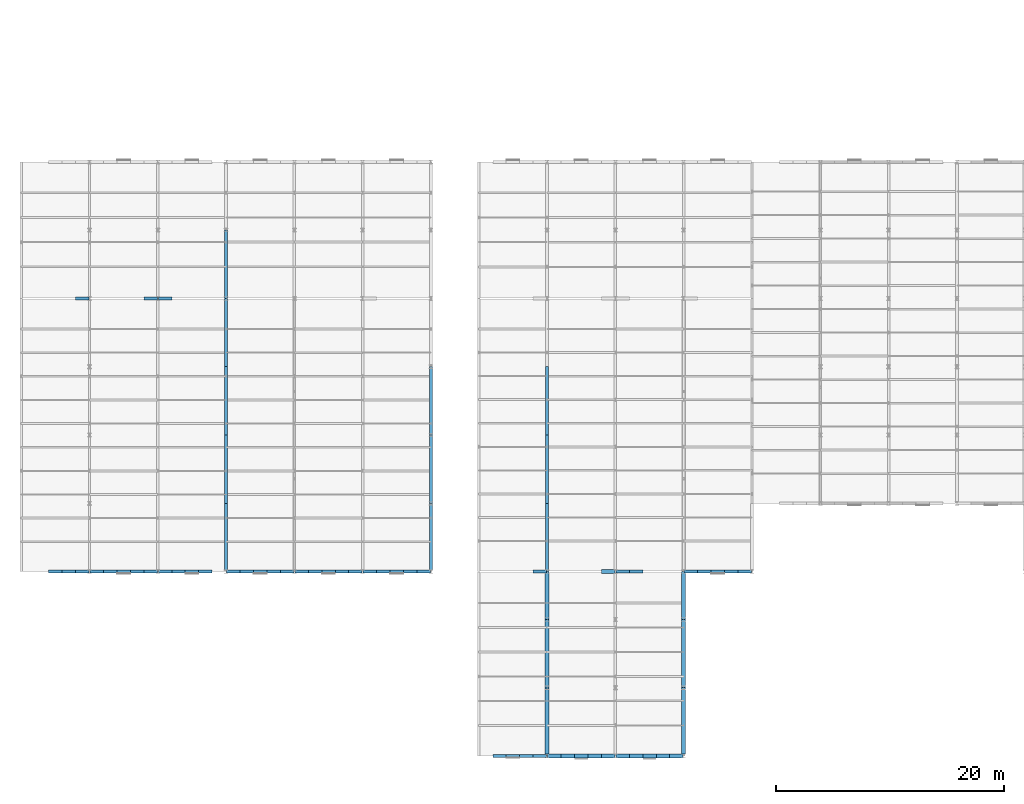
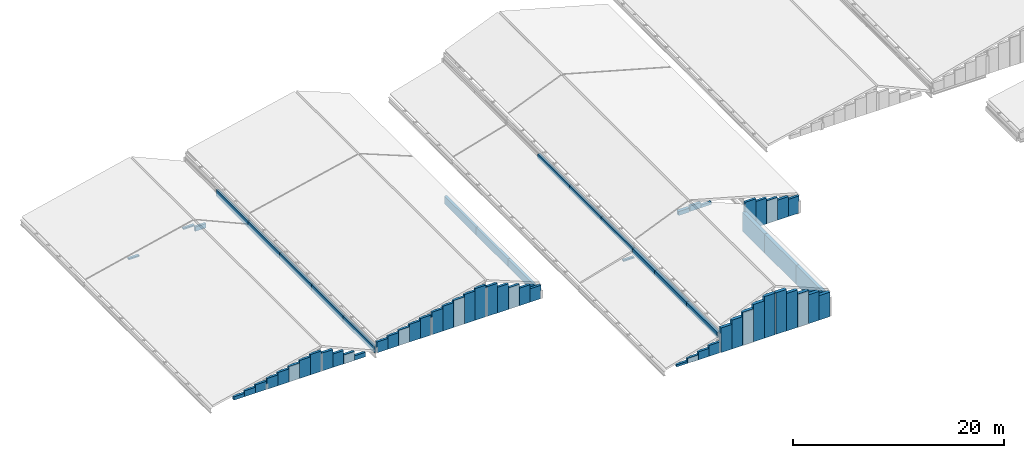
# One storey, part 62 of 74: 70 walls.
"""IFC4 building model written with IfcOpenShell, lengths in metres."""

from ifc_helpers import new_model, si_unit, direction, frame, frame_2d, origin, place, context, subcontext, project, spatial, rectangle, extrude, material, layer, layer_set, type_object, element, save


model = new_model("IFC4")

# Units and contexts
model_context = context("Model", 3, precision=1e-05, world=origin(), true_north=direction((0.0, 1.0)))
body_context = subcontext(model_context, "Body", "Model", "MODEL_VIEW")
ifc_project = project(units=[si_unit("LENGTHUNIT", "METRE"), si_unit("AREAUNIT", "SQUARE_METRE"), si_unit("VOLUMEUNIT", "CUBIC_METRE"), si_unit("PLANEANGLEUNIT", "RADIAN"), si_unit("MASSUNIT", "GRAM", prefix="KILO")], contexts=[model_context])

# Site, building, storey
site_placement = place(None, origin())
site = spatial("IfcSite", under=ifc_project, at=site_placement, CompositionType="ELEMENT")
building_placement = place(site_placement, origin())
building = spatial("IfcBuilding", under=site, at=building_placement, Name="Siltcreek Boulevard Central Fire Station", CompositionType="ELEMENT")
storey_placement = place(building_placement, frame((0.0, 0.0, 25.199951171875)))
storey = spatial("IfcBuildingStorey", under=building, at=storey_placement, Name="RF", CompositionType="ELEMENT", Elevation=25.199951171875)

# Walls
ifc_material_1 = material(Name="Terracotta brick rainscreen on steel stud", Category="masonry")
ifc_layer_1 = layer(ifc_material_1, 0.35009765625, Name="Terracotta brick rainscreen on steel stud")
ifc_layer_set_1 = layer_set([ifc_layer_1], Name="Terracotta brick rainscreen on steel stud")
wall_type_1 = type_object("IfcWallType", Name="EW_BRICK350", PredefinedType="STANDARD", material=ifc_layer_set_1)
wall_1_placement = place(storey_placement, frame((48.044921875, 1.800048828125, -15.199951171875), z_axis=(0.0, 0.0, 1.0), x_axis=(1.0, 0.0, 0.0)))
element("IfcWall", 1, at=wall_1_placement, inside=storey, type_object=wall_type_1, Name="Roof gable timber-lined enclosure wall RF-H4W-PR-0011", PredefinedType="STANDARD", context=body_context, shape_type="SweptSolid", body=[
    extrude(rectangle(XDim=1.18212890625, YDim=0.35009765625, at=frame_2d((0.591064453125, 0.0))), origin(), (0.0, 0.0, 1.0), 2.837890625),
])
wall_2_placement = place(storey_placement, frame((49.22705078125, 1.800048828125, -15.199951171875), z_axis=(0.0, 0.0, 1.0), x_axis=(1.0, 0.0, 0.0)))
element("IfcWall", 2, at=wall_2_placement, inside=storey, type_object=wall_type_1, Name="Roof gable timber-lined enclosure wall RF-H4W-PR-0012", PredefinedType="STANDARD", context=body_context, shape_type="SweptSolid", body=[
    extrude(rectangle(XDim=1.181884765625, YDim=0.35009765625, at=frame_2d((0.5908203125, 0.0))), origin(), (0.0, 0.0, 1.0), 3.330322265625),
])
wall_3_placement = place(storey_placement, frame((50.408935546875, 1.800048828125, -15.199951171875), z_axis=(0.0, 0.0, 1.0), x_axis=(1.0, 0.0, 0.0)))
element("IfcWall", 3, at=wall_3_placement, inside=storey, type_object=wall_type_1, Name="Roof gable timber-lined enclosure wall RF-H4W-PR-0013", PredefinedType="STANDARD", context=body_context, shape_type="SweptSolid", body=[
    extrude(rectangle(XDim=1.18212890625, YDim=0.35009765625, at=frame_2d((0.591064453125, 0.0))), origin(), (0.0, 0.0, 1.0), 3.822998046875),
])
wall_4_placement = place(storey_placement, frame((51.591064453125, 1.800048828125, -15.199951171875), z_axis=(0.0, 0.0, 1.0), x_axis=(1.0, 0.0, 0.0)))
element("IfcWall", 4, at=wall_4_placement, inside=storey, type_object=wall_type_1, Name="Roof gable timber-lined enclosure wall RF-H4W-PR-0014", PredefinedType="STANDARD", context=body_context, shape_type="SweptSolid", body=[
    extrude(rectangle(XDim=1.181884765625, YDim=0.35009765625, at=frame_2d((0.5908203125, 0.0))), origin(), (0.0, 0.0, 1.0), 4.3154296875),
])
wall_5_placement = place(storey_placement, frame((52.77294921875, 1.800048828125, -15.199951171875), z_axis=(0.0, 0.0, 1.0), x_axis=(1.0, 0.0, 0.0)))
element("IfcWall", 5, at=wall_5_placement, inside=storey, type_object=wall_type_1, Name="Roof gable timber-lined enclosure wall RF-H4W-PR-0015", PredefinedType="STANDARD", context=body_context, shape_type="SweptSolid", body=[
    extrude(rectangle(XDim=1.18212890625, YDim=0.35009765625, at=frame_2d((0.591064453125, 0.0))), origin(), (0.0, 0.0, 1.0), 4.807861328125),
])
wall_6_placement = place(storey_placement, frame((53.955078125, 18.0, -10.849853515625), z_axis=(0.0, 0.0, 1.0), x_axis=(-1.0, 0.0, 0.0)))
element("IfcWall", 6, at=wall_6_placement, inside=storey, type_object=wall_type_1, Name="Roof gable timber-lined enclosure wall RF-H4W-PR-0016", PredefinedType="STANDARD", context=body_context, shape_type="SweptSolid", body=[
    extrude(rectangle(XDim=1.18212890625, YDim=0.35009765625, at=frame_2d((0.591064453125, 0.0))), origin(), (0.0, 0.0, 1.0), 0.457763671875),
])
wall_7_placement = place(storey_placement, frame((48.0, 7.800048828125, -13.642578125), z_axis=(0.0, 0.0, 1.0), x_axis=(0.0, -1.0, 0.0)))
element("IfcWall", 7, at=wall_7_placement, inside=storey, type_object=wall_type_1, Name="Roof step cheek enclosure wall RF-H4W-PR-0017", PredefinedType="STANDARD", context=body_context, shape_type="SweptSolid", body=[
    extrude(rectangle(XDim=5.824951171875, YDim=0.35009765625, at=frame_2d((2.91259765625, 0.0))), origin(), (0.0, 0.0, 1.0), 0.634521484375),
])
wall_8_placement = place(storey_placement, frame((48.0, 13.800048828125, -13.642578125), z_axis=(0.0, 0.0, 1.0), x_axis=(0.0, -1.0, 0.0)))
element("IfcWall", 8, at=wall_8_placement, inside=storey, type_object=wall_type_1, Name="Roof step cheek enclosure wall RF-H4W-PR-0018", PredefinedType="STANDARD", context=body_context, shape_type="SweptSolid", body=[
    extrude(rectangle(XDim=6.0, YDim=0.35009765625, at=frame_2d((3.0, 0.0))), origin(), (0.0, 0.0, 1.0), 0.634521484375),
])
wall_9_placement = place(storey_placement, frame((48.0, 18.0, -13.642578125), z_axis=(0.0, 0.0, 1.0), x_axis=(0.0, -1.0, 0.0)))
element("IfcWall", 9, at=wall_9_placement, inside=storey, type_object=wall_type_1, Name="Roof step cheek enclosure wall RF-H4W-PR-0019", PredefinedType="STANDARD", context=body_context, shape_type="SweptSolid", body=[
    extrude(rectangle(XDim=4.199951171875, YDim=0.35009765625, at=frame_2d((2.10009765625, 0.0))), origin(), (0.0, 0.0, 1.0), 0.634521484375),
])
wall_10_placement = place(storey_placement, frame((54.044921875, 1.800048828125, -15.199951171875), z_axis=(0.0, 0.0, 1.0), x_axis=(1.0, 0.0, 0.0)))
element("IfcWall", 10, at=wall_10_placement, inside=storey, type_object=wall_type_1, Name="Roof gable timber-lined enclosure wall RF-H4E-PR-0020", PredefinedType="STANDARD", context=body_context, shape_type="SweptSolid", body=[
    extrude(rectangle(XDim=1.18212890625, YDim=0.35009765625, at=frame_2d((0.591064453125, 0.0))), origin(), (0.0, 0.0, 1.0), 4.807861328125),
])
wall_11_placement = place(storey_placement, frame((55.22705078125, 1.800048828125, -15.199951171875), z_axis=(0.0, 0.0, 1.0), x_axis=(1.0, 0.0, 0.0)))
element("IfcWall", 11, at=wall_11_placement, inside=storey, type_object=wall_type_1, Name="Roof gable timber-lined enclosure wall RF-H4E-PR-0021", PredefinedType="STANDARD", context=body_context, shape_type="SweptSolid", body=[
    extrude(rectangle(XDim=1.181884765625, YDim=0.35009765625, at=frame_2d((0.5908203125, 0.0))), origin(), (0.0, 0.0, 1.0), 4.3154296875),
])
wall_12_placement = place(storey_placement, frame((56.408935546875, 1.800048828125, -15.199951171875), z_axis=(0.0, 0.0, 1.0), x_axis=(1.0, 0.0, 0.0)))
element("IfcWall", 12, at=wall_12_placement, inside=storey, type_object=wall_type_1, Name="Roof gable timber-lined enclosure wall RF-H4E-PR-0022", PredefinedType="STANDARD", context=body_context, shape_type="SweptSolid", body=[
    extrude(rectangle(XDim=1.18212890625, YDim=0.35009765625, at=frame_2d((0.591064453125, 0.0))), origin(), (0.0, 0.0, 1.0), 3.822998046875),
])
wall_13_placement = place(storey_placement, frame((57.591064453125, 1.800048828125, -15.199951171875), z_axis=(0.0, 0.0, 1.0), x_axis=(1.0, 0.0, 0.0)))
element("IfcWall", 13, at=wall_13_placement, inside=storey, type_object=wall_type_1, Name="Roof gable timber-lined enclosure wall RF-H4E-PR-0023", PredefinedType="STANDARD", context=body_context, shape_type="SweptSolid", body=[
    extrude(rectangle(XDim=1.181884765625, YDim=0.35009765625, at=frame_2d((0.5908203125, 0.0))), origin(), (0.0, 0.0, 1.0), 3.330322265625),
])
wall_14_placement = place(storey_placement, frame((58.77294921875, 1.800048828125, -15.199951171875), z_axis=(0.0, 0.0, 1.0), x_axis=(1.0, 0.0, 0.0)))
element("IfcWall", 14, at=wall_14_placement, inside=storey, type_object=wall_type_1, Name="Roof gable timber-lined enclosure wall RF-H4E-PR-0024", PredefinedType="STANDARD", context=body_context, shape_type="SweptSolid", body=[
    extrude(rectangle(XDim=1.18212890625, YDim=0.35009765625, at=frame_2d((0.591064453125, 0.0))), origin(), (0.0, 0.0, 1.0), 2.837890625),
])
wall_15_placement = place(storey_placement, frame((60.0, 1.97509765625, -15.199951171875), z_axis=(0.0, 0.0, 1.0), x_axis=(0.0, 1.0, 0.0)))
element("IfcWall", 15, at=wall_15_placement, inside=storey, type_object=wall_type_1, Name="Roof step cheek enclosure wall RF-H4E-PR-0025", PredefinedType="STANDARD", context=body_context, shape_type="SweptSolid", body=[
    extrude(rectangle(XDim=5.824951171875, YDim=0.35009765625, at=frame_2d((2.91259765625, 0.0))), origin(), (0.0, 0.0, 1.0), 2.19189453125),
])
wall_16_placement = place(storey_placement, frame((60.0, 7.800048828125, -15.199951171875), z_axis=(0.0, 0.0, 1.0), x_axis=(0.0, 1.0, 0.0)))
element("IfcWall", 16, at=wall_16_placement, inside=storey, type_object=wall_type_1, Name="Roof step cheek enclosure wall RF-H4E-PR-0026", PredefinedType="STANDARD", context=body_context, shape_type="SweptSolid", body=[
    extrude(rectangle(XDim=6.0, YDim=0.35009765625, at=frame_2d((3.0, 0.0))), origin(), (0.0, 0.0, 1.0), 2.19189453125),
])
wall_17_placement = place(storey_placement, frame((60.0, 13.800048828125, -15.199951171875), z_axis=(0.0, 0.0, 1.0), x_axis=(0.0, 1.0, 0.0)))
element("IfcWall", 17, at=wall_17_placement, inside=storey, type_object=wall_type_1, Name="Roof step cheek enclosure wall RF-H4E-PR-0027", PredefinedType="STANDARD", context=body_context, shape_type="SweptSolid", body=[
    extrude(rectangle(XDim=4.199951171875, YDim=0.35009765625, at=frame_2d((2.10009765625, 0.0))), origin(), (0.0, 0.0, 1.0), 2.19189453125),
])
ifc_material_2 = material(Name="Western Red Cedar insulated gable wall", Category="wood")
ifc_layer_2 = layer(ifc_material_2, 0.264892578125, Name="Western Red Cedar insulated gable wall")
ifc_layer_set_2 = layer_set([ifc_layer_2], Name="Western Red Cedar insulated gable wall")
wall_type_2 = type_object("IfcWallType", Name="EW_CEDAR265", PredefinedType="STANDARD", material=ifc_layer_set_2)
wall_18_placement = place(storey_placement, frame((43.22705078125, 1.800048828125, -15.199951171875), z_axis=(0.0, 0.0, 1.0), x_axis=(1.0, 0.0, 0.0)))
element("IfcWall", 18, at=wall_18_placement, inside=storey, type_object=wall_type_2, Name="Roof gable timber-lined enclosure wall RF-H3-PR-0001", PredefinedType="STANDARD", context=body_context, shape_type="SweptSolid", body=[
    extrude(rectangle(XDim=1.181884765625, YDim=0.264892578125, at=frame_2d((0.5908203125, 0.0))), origin(), (0.0, 0.0, 1.0), 0.24853515625),
])
wall_19_placement = place(storey_placement, frame((44.408935546875, 1.800048828125, -15.199951171875), z_axis=(0.0, 0.0, 1.0), x_axis=(1.0, 0.0, 0.0)))
element("IfcWall", 19, at=wall_19_placement, inside=storey, type_object=wall_type_2, Name="Roof gable timber-lined enclosure wall RF-H3-PR-0002", PredefinedType="STANDARD", context=body_context, shape_type="SweptSolid", body=[
    extrude(rectangle(XDim=1.18212890625, YDim=0.264892578125, at=frame_2d((0.591064453125, 0.0))), origin(), (0.0, 0.0, 1.0), 0.58349609375),
])
wall_20_placement = place(storey_placement, frame((45.591064453125, 1.800048828125, -15.199951171875), z_axis=(0.0, 0.0, 1.0), x_axis=(1.0, 0.0, 0.0)))
element("IfcWall", 20, at=wall_20_placement, inside=storey, type_object=wall_type_2, Name="Roof gable timber-lined enclosure wall RF-H3-PR-0003", PredefinedType="STANDARD", context=body_context, shape_type="SweptSolid", body=[
    extrude(rectangle(XDim=1.181884765625, YDim=0.264892578125, at=frame_2d((0.5908203125, 0.0))), origin(), (0.0, 0.0, 1.0), 0.91845703125),
])
wall_21_placement = place(storey_placement, frame((46.77294921875, 1.800048828125, -15.199951171875), z_axis=(0.0, 0.0, 1.0), x_axis=(1.0, 0.0, 0.0)))
element("IfcWall", 21, at=wall_21_placement, inside=storey, type_object=wall_type_2, Name="Roof gable timber-lined enclosure wall RF-H3-PR-0004", PredefinedType="STANDARD", context=body_context, shape_type="SweptSolid", body=[
    extrude(rectangle(XDim=1.18212890625, YDim=0.264892578125, at=frame_2d((0.591064453125, 0.0))), origin(), (0.0, 0.0, 1.0), 1.25341796875),
])
wall_22_placement = place(storey_placement, frame((47.955078125, 18.0, -14.125), z_axis=(0.0, 0.0, 1.0), x_axis=(-1.0, 0.0, 0.0)))
element("IfcWall", 22, at=wall_22_placement, inside=storey, type_object=wall_type_2, Name="Roof gable timber-lined enclosure wall RF-H3-PR-0005", PredefinedType="STANDARD", context=body_context, shape_type="SweptSolid", body=[
    extrude(rectangle(XDim=1.18212890625, YDim=0.264892578125, at=frame_2d((0.591064453125, 0.0))), origin(), (0.0, 0.0, 1.0), 0.178466796875),
])
for number, where, z_axis, x_axis, name in (
    (23, (48.0, 24.0, -13.56494140625), (0.0, 0.0, 1.0), (0.0, -1.0, 0.0), "Roof step cheek enclosure wall RF-H4W-HL-0029"),
    (24, (48.0, 30.0, -13.56494140625), (0.0, 0.0, 1.0), (0.0, -1.0, 0.0), "Roof step cheek enclosure wall RF-H4W-HL-0030"),
    (25, (48.0, 36.0, -13.56494140625), (0.0, 0.0, 1.0), (0.0, -1.0, 0.0), "Roof step cheek enclosure wall RF-H4W-HL-0031"),
):
    element("IfcWall", number, at=place(storey_placement, frame(where, z_axis=z_axis, x_axis=x_axis)), inside=storey, type_object=wall_type_2, Name=name, PredefinedType="STANDARD", context=body_context, shape_type="SweptSolid", body=[
        extrude(rectangle(XDim=6.0, YDim=0.264892578125, at=frame_2d((3.0, 0.0))), origin(), (0.0, 0.0, 1.0), 0.556884765625),
    ])
wall_23_placement = place(storey_placement, frame((54.044921875, 18.0, -10.849853515625), z_axis=(0.0, 0.0, 1.0), x_axis=(1.0, 0.0, 0.0)))
element("IfcWall", 26, at=wall_23_placement, inside=storey, type_object=wall_type_2, Name="Roof gable timber-lined enclosure wall RF-H4E-HL-0033", PredefinedType="STANDARD", context=body_context, shape_type="SweptSolid", body=[
    extrude(rectangle(XDim=1.18212890625, YDim=0.264892578125, at=frame_2d((0.591064453125, 0.0))), origin(), (0.0, 0.0, 1.0), 0.6376953125),
])
wall_24_placement = place(storey_placement, frame((55.22705078125, 18.0, -10.849853515625), z_axis=(0.0, 0.0, 1.0), x_axis=(1.0, 0.0, 0.0)))
element("IfcWall", 27, at=wall_24_placement, inside=storey, type_object=wall_type_2, Name="Roof gable timber-lined enclosure wall RF-H4E-HL-0034", PredefinedType="STANDARD", context=body_context, shape_type="SweptSolid", body=[
    extrude(rectangle(XDim=1.181884765625, YDim=0.264892578125, at=frame_2d((0.5908203125, 0.0))), origin(), (0.0, 0.0, 1.0), 0.307861328125),
])
wall_25_placement = place(storey_placement, frame((60.044921875, 18.0, -15.199951171875), z_axis=(0.0, 0.0, 1.0), x_axis=(1.0, 0.0, 0.0)))
element("IfcWall", 28, at=wall_25_placement, inside=storey, type_object=wall_type_2, Name="Roof gable timber-lined enclosure wall RF-H4E-HL-0035", PredefinedType="STANDARD", context=body_context, shape_type="SweptSolid", body=[
    extrude(rectangle(XDim=1.18212890625, YDim=0.264892578125, at=frame_2d((0.591064453125, 0.0))), origin(), (0.0, 0.0, 1.0), 3.31298828125),
])
wall_26_placement = place(storey_placement, frame((61.22705078125, 18.0, -15.199951171875), z_axis=(0.0, 0.0, 1.0), x_axis=(1.0, 0.0, 0.0)))
element("IfcWall", 29, at=wall_26_placement, inside=storey, type_object=wall_type_2, Name="Roof gable timber-lined enclosure wall RF-H4E-HL-0036", PredefinedType="STANDARD", context=body_context, shape_type="SweptSolid", body=[
    extrude(rectangle(XDim=1.181884765625, YDim=0.264892578125, at=frame_2d((0.5908203125, 0.0))), origin(), (0.0, 0.0, 1.0), 2.98291015625),
])
wall_27_placement = place(storey_placement, frame((62.408935546875, 18.0, -15.199951171875), z_axis=(0.0, 0.0, 1.0), x_axis=(1.0, 0.0, 0.0)))
element("IfcWall", 30, at=wall_27_placement, inside=storey, type_object=wall_type_2, Name="Roof gable timber-lined enclosure wall RF-H4E-HL-0037", PredefinedType="STANDARD", context=body_context, shape_type="SweptSolid", body=[
    extrude(rectangle(XDim=1.18212890625, YDim=0.264892578125, at=frame_2d((0.591064453125, 0.0))), origin(), (0.0, 0.0, 1.0), 2.653076171875),
])
wall_28_placement = place(storey_placement, frame((63.591064453125, 18.0, -15.199951171875), z_axis=(0.0, 0.0, 1.0), x_axis=(1.0, 0.0, 0.0)))
element("IfcWall", 31, at=wall_28_placement, inside=storey, type_object=wall_type_2, Name="Roof gable timber-lined enclosure wall RF-H4E-HL-0038", PredefinedType="STANDARD", context=body_context, shape_type="SweptSolid", body=[
    extrude(rectangle(XDim=1.181884765625, YDim=0.264892578125, at=frame_2d((0.5908203125, 0.0))), origin(), (0.0, 0.0, 1.0), 2.322998046875),
])
wall_29_placement = place(storey_placement, frame((64.77294921875, 18.0, -15.199951171875), z_axis=(0.0, 0.0, 1.0), x_axis=(1.0, 0.0, 0.0)))
element("IfcWall", 32, at=wall_29_placement, inside=storey, type_object=wall_type_2, Name="Roof gable timber-lined enclosure wall RF-H4E-HL-0039", PredefinedType="STANDARD", context=body_context, shape_type="SweptSolid", body=[
    extrude(rectangle(XDim=1.18212890625, YDim=0.264892578125, at=frame_2d((0.591064453125, 0.0))), origin(), (0.0, 0.0, 1.0), 1.992919921875),
])
wall_30_placement = place(storey_placement, frame((4.208984375, 18.0, -15.199951171875), z_axis=(0.0, 0.0, 1.0), x_axis=(1.0, 0.0, 0.0)))
element("IfcWall", 33, at=wall_30_placement, inside=storey, type_object=wall_type_2, Name="Roof gable timber-lined enclosure wall RF-H1W-S-0165", PredefinedType="STANDARD", context=body_context, shape_type="SweptSolid", body=[
    extrude(rectangle(XDim=1.18212890625, YDim=0.264892578125, at=frame_2d((0.591064453125, 0.0))), origin(), (0.0, 0.0, 1.0), 0.3955078125),
])
wall_31_placement = place(storey_placement, frame((5.39111328125, 18.0, -15.199951171875), z_axis=(0.0, 0.0, 1.0), x_axis=(1.0, 0.0, 0.0)))
element("IfcWall", 34, at=wall_31_placement, inside=storey, type_object=wall_type_2, Name="Roof gable timber-lined enclosure wall RF-H1W-S-0166", PredefinedType="STANDARD", context=body_context, shape_type="SweptSolid", body=[
    extrude(rectangle(XDim=1.181884765625, YDim=0.264892578125, at=frame_2d((0.5908203125, 0.0))), origin(), (0.0, 0.0, 1.0), 0.671142578125),
])
wall_32_placement = place(storey_placement, frame((6.572998046875, 18.0, -15.199951171875), z_axis=(0.0, 0.0, 1.0), x_axis=(1.0, 0.0, 0.0)))
element("IfcWall", 35, at=wall_32_placement, inside=storey, type_object=wall_type_2, Name="Roof gable timber-lined enclosure wall RF-H1W-S-0167", PredefinedType="STANDARD", context=body_context, shape_type="SweptSolid", body=[
    extrude(rectangle(XDim=1.181884765625, YDim=0.264892578125, at=frame_2d((0.5908203125, 0.0))), origin(), (0.0, 0.0, 1.0), 0.947021484375),
])
wall_33_placement = place(storey_placement, frame((7.844970703125, 18.0, -15.199951171875), z_axis=(0.0, 0.0, 1.0), x_axis=(1.0, 0.0, 0.0)))
element("IfcWall", 36, at=wall_33_placement, inside=storey, type_object=wall_type_2, Name="Roof gable timber-lined enclosure wall RF-H1W-S-0168", PredefinedType="STANDARD", context=body_context, shape_type="SweptSolid", body=[
    extrude(rectangle(XDim=1.18212890625, YDim=0.264892578125, at=frame_2d((0.591064453125, 0.0))), origin(), (0.0, 0.0, 1.0), 1.243896484375),
])
wall_34_placement = place(storey_placement, frame((9.027099609375, 18.0, -15.199951171875), z_axis=(0.0, 0.0, 1.0), x_axis=(1.0, 0.0, 0.0)))
element("IfcWall", 37, at=wall_34_placement, inside=storey, type_object=wall_type_2, Name="Roof gable timber-lined enclosure wall RF-H1W-S-0169", PredefinedType="STANDARD", context=body_context, shape_type="SweptSolid", body=[
    extrude(rectangle(XDim=1.181884765625, YDim=0.264892578125, at=frame_2d((0.5908203125, 0.0))), origin(), (0.0, 0.0, 1.0), 1.51953125),
])
wall_35_placement = place(storey_placement, frame((10.208984375, 18.0, -15.199951171875), z_axis=(0.0, 0.0, 1.0), x_axis=(1.0, 0.0, 0.0)))
element("IfcWall", 38, at=wall_35_placement, inside=storey, type_object=wall_type_2, Name="Roof gable timber-lined enclosure wall RF-H1W-S-0170", PredefinedType="STANDARD", context=body_context, shape_type="SweptSolid", body=[
    extrude(rectangle(XDim=1.18212890625, YDim=0.264892578125, at=frame_2d((0.591064453125, 0.0))), origin(), (0.0, 0.0, 1.0), 1.79541015625),
])
wall_36_placement = place(storey_placement, frame((11.39111328125, 18.0, -15.199951171875), z_axis=(0.0, 0.0, 1.0), x_axis=(1.0, 0.0, 0.0)))
element("IfcWall", 39, at=wall_36_placement, inside=storey, type_object=wall_type_2, Name="Roof gable timber-lined enclosure wall RF-H1W-S-0171", PredefinedType="STANDARD", context=body_context, shape_type="SweptSolid", body=[
    extrude(rectangle(XDim=1.181884765625, YDim=0.264892578125, at=frame_2d((0.5908203125, 0.0))), origin(), (0.0, 0.0, 1.0), 2.0712890625),
])
wall_37_placement = place(storey_placement, frame((12.572998046875, 18.0, -15.199951171875), z_axis=(0.0, 0.0, 1.0), x_axis=(1.0, 0.0, 0.0)))
element("IfcWall", 40, at=wall_37_placement, inside=storey, type_object=wall_type_2, Name="Roof gable timber-lined enclosure wall RF-H1W-S-0172", PredefinedType="STANDARD", context=body_context, shape_type="SweptSolid", body=[
    extrude(rectangle(XDim=1.181884765625, YDim=0.264892578125, at=frame_2d((0.5908203125, 0.0))), origin(), (0.0, 0.0, 1.0), 2.346923828125),
])
wall_38_placement = place(storey_placement, frame((13.844970703125, 18.0, -15.199951171875), z_axis=(0.0, 0.0, 1.0), x_axis=(1.0, 0.0, 0.0)))
element("IfcWall", 41, at=wall_38_placement, inside=storey, type_object=wall_type_2, Name="Roof gable timber-lined enclosure wall RF-H1E-S-0173", PredefinedType="STANDARD", context=body_context, shape_type="SweptSolid", body=[
    extrude(rectangle(XDim=1.18212890625, YDim=0.264892578125, at=frame_2d((0.591064453125, 0.0))), origin(), (0.0, 0.0, 1.0), 2.07470703125),
])
wall_39_placement = place(storey_placement, frame((15.027099609375, 18.0, -15.199951171875), z_axis=(0.0, 0.0, 1.0), x_axis=(1.0, 0.0, 0.0)))
element("IfcWall", 42, at=wall_39_placement, inside=storey, type_object=wall_type_2, Name="Roof gable timber-lined enclosure wall RF-H1E-S-0174", PredefinedType="STANDARD", context=body_context, shape_type="SweptSolid", body=[
    extrude(rectangle(XDim=1.181884765625, YDim=0.264892578125, at=frame_2d((0.5908203125, 0.0))), origin(), (0.0, 0.0, 1.0), 1.552734375),
])
wall_40_placement = place(storey_placement, frame((16.208984375, 18.0, -15.199951171875), z_axis=(0.0, 0.0, 1.0), x_axis=(1.0, 0.0, 0.0)))
element("IfcWall", 43, at=wall_40_placement, inside=storey, type_object=wall_type_2, Name="Roof gable timber-lined enclosure wall RF-H1E-S-0175", PredefinedType="STANDARD", context=body_context, shape_type="SweptSolid", body=[
    extrude(rectangle(XDim=1.18212890625, YDim=0.264892578125, at=frame_2d((0.591064453125, 0.0))), origin(), (0.0, 0.0, 1.0), 1.03076171875),
])
wall_41_placement = place(storey_placement, frame((17.39111328125, 18.0, -15.199951171875), z_axis=(0.0, 0.0, 1.0), x_axis=(1.0, 0.0, 0.0)))
element("IfcWall", 44, at=wall_41_placement, inside=storey, type_object=wall_type_2, Name="Roof gable timber-lined enclosure wall RF-H1E-S-0176", PredefinedType="STANDARD", context=body_context, shape_type="SweptSolid", body=[
    extrude(rectangle(XDim=1.181884765625, YDim=0.264892578125, at=frame_2d((0.5908203125, 0.0))), origin(), (0.0, 0.0, 1.0), 0.508544921875),
])
wall_42_placement = place(storey_placement, frame((15.027099609375, 42.0, -13.625), z_axis=(0.0, 0.0, 1.0), x_axis=(-1.0, 0.0, 0.0)))
element("IfcWall", 45, at=wall_42_placement, inside=storey, type_object=wall_type_2, Name="Roof gable timber-lined enclosure wall RF-H1E-S-0177", PredefinedType="STANDARD", context=body_context, shape_type="SweptSolid", body=[
    extrude(rectangle(XDim=1.18212890625, YDim=0.264892578125, at=frame_2d((0.591064453125, 0.0))), origin(), (0.0, 0.0, 1.0), 0.499755859375),
])
for number, where, z_axis, x_axis, name in (
    (46, (6.572998046875, 42.0, -14.39990234375), (0.0, 0.0, 1.0), (1.0, 0.0, 0.0), "Roof gable timber-lined enclosure wall RF-H1W-N-0178"),
    (47, (12.572998046875, 42.0, -13.0), (0.0, 0.0, 1.0), (1.0, 0.0, 0.0), "Roof gable timber-lined enclosure wall RF-H1W-N-0179"),
):
    element("IfcWall", number, at=place(storey_placement, frame(where, z_axis=z_axis, x_axis=x_axis)), inside=storey, type_object=wall_type_2, Name=name, PredefinedType="STANDARD", context=body_context, shape_type="SweptSolid", body=[
        extrude(rectangle(XDim=1.181884765625, YDim=0.264892578125, at=frame_2d((0.5908203125, 0.0))), origin(), (0.0, 0.0, 1.0), 0.16748046875),
    ])
wall_43_placement = place(storey_placement, frame((19.844970703125, 18.0, -15.199951171875), z_axis=(0.0, 0.0, 1.0), x_axis=(1.0, 0.0, 0.0)))
element("IfcWall", 48, at=wall_43_placement, inside=storey, type_object=wall_type_2, Name="Roof gable timber-lined enclosure wall RF-H2W-S-0192", PredefinedType="STANDARD", context=body_context, shape_type="SweptSolid", body=[
    extrude(rectangle(XDim=1.18212890625, YDim=0.264892578125, at=frame_2d((0.591064453125, 0.0))), origin(), (0.0, 0.0, 1.0), 1.243896484375),
])
wall_44_placement = place(storey_placement, frame((21.027099609375, 18.0, -15.199951171875), z_axis=(0.0, 0.0, 1.0), x_axis=(1.0, 0.0, 0.0)))
element("IfcWall", 49, at=wall_44_placement, inside=storey, type_object=wall_type_2, Name="Roof gable timber-lined enclosure wall RF-H2W-S-0193", PredefinedType="STANDARD", context=body_context, shape_type="SweptSolid", body=[
    extrude(rectangle(XDim=1.181884765625, YDim=0.264892578125, at=frame_2d((0.5908203125, 0.0))), origin(), (0.0, 0.0, 1.0), 1.509765625),
])
wall_45_placement = place(storey_placement, frame((22.208984375, 18.0, -15.199951171875), z_axis=(0.0, 0.0, 1.0), x_axis=(1.0, 0.0, 0.0)))
element("IfcWall", 50, at=wall_45_placement, inside=storey, type_object=wall_type_2, Name="Roof gable timber-lined enclosure wall RF-H2W-S-0194", PredefinedType="STANDARD", context=body_context, shape_type="SweptSolid", body=[
    extrude(rectangle(XDim=1.18212890625, YDim=0.264892578125, at=frame_2d((0.591064453125, 0.0))), origin(), (0.0, 0.0, 1.0), 1.77587890625),
])
wall_46_placement = place(storey_placement, frame((23.39111328125, 18.0, -15.199951171875), z_axis=(0.0, 0.0, 1.0), x_axis=(1.0, 0.0, 0.0)))
element("IfcWall", 51, at=wall_46_placement, inside=storey, type_object=wall_type_2, Name="Roof gable timber-lined enclosure wall RF-H2W-S-0195", PredefinedType="STANDARD", context=body_context, shape_type="SweptSolid", body=[
    extrude(rectangle(XDim=1.181884765625, YDim=0.264892578125, at=frame_2d((0.5908203125, 0.0))), origin(), (0.0, 0.0, 1.0), 2.041748046875),
])
wall_47_placement = place(storey_placement, frame((24.572998046875, 18.0, -15.199951171875), z_axis=(0.0, 0.0, 1.0), x_axis=(1.0, 0.0, 0.0)))
element("IfcWall", 52, at=wall_47_placement, inside=storey, type_object=wall_type_2, Name="Roof gable timber-lined enclosure wall RF-H2W-S-0196", PredefinedType="STANDARD", context=body_context, shape_type="SweptSolid", body=[
    extrude(rectangle(XDim=1.181884765625, YDim=0.264892578125, at=frame_2d((0.5908203125, 0.0))), origin(), (0.0, 0.0, 1.0), 2.3076171875),
])
wall_48_placement = place(storey_placement, frame((25.844970703125, 18.0, -15.199951171875), z_axis=(0.0, 0.0, 1.0), x_axis=(1.0, 0.0, 0.0)))
element("IfcWall", 53, at=wall_48_placement, inside=storey, type_object=wall_type_2, Name="Roof gable timber-lined enclosure wall RF-H2W-S-0197", PredefinedType="STANDARD", context=body_context, shape_type="SweptSolid", body=[
    extrude(rectangle(XDim=1.18212890625, YDim=0.264892578125, at=frame_2d((0.591064453125, 0.0))), origin(), (0.0, 0.0, 1.0), 2.593994140625),
])
wall_49_placement = place(storey_placement, frame((27.027099609375, 18.0, -15.199951171875), z_axis=(0.0, 0.0, 1.0), x_axis=(1.0, 0.0, 0.0)))
element("IfcWall", 54, at=wall_49_placement, inside=storey, type_object=wall_type_2, Name="Roof gable timber-lined enclosure wall RF-H2W-S-0198", PredefinedType="STANDARD", context=body_context, shape_type="SweptSolid", body=[
    extrude(rectangle(XDim=1.181884765625, YDim=0.264892578125, at=frame_2d((0.5908203125, 0.0))), origin(), (0.0, 0.0, 1.0), 2.85986328125),
])
wall_50_placement = place(storey_placement, frame((28.208984375, 18.0, -15.199951171875), z_axis=(0.0, 0.0, 1.0), x_axis=(1.0, 0.0, 0.0)))
element("IfcWall", 55, at=wall_50_placement, inside=storey, type_object=wall_type_2, Name="Roof gable timber-lined enclosure wall RF-H2W-S-0199", PredefinedType="STANDARD", context=body_context, shape_type="SweptSolid", body=[
    extrude(rectangle(XDim=1.18212890625, YDim=0.264892578125, at=frame_2d((0.591064453125, 0.0))), origin(), (0.0, 0.0, 1.0), 3.125732421875),
])
wall_51_placement = place(storey_placement, frame((29.39111328125, 18.0, -15.199951171875), z_axis=(0.0, 0.0, 1.0), x_axis=(1.0, 0.0, 0.0)))
element("IfcWall", 56, at=wall_51_placement, inside=storey, type_object=wall_type_2, Name="Roof gable timber-lined enclosure wall RF-H2W-S-0200", PredefinedType="STANDARD", context=body_context, shape_type="SweptSolid", body=[
    extrude(rectangle(XDim=1.181884765625, YDim=0.264892578125, at=frame_2d((0.5908203125, 0.0))), origin(), (0.0, 0.0, 1.0), 3.3916015625),
])
wall_52_placement = place(storey_placement, frame((30.572998046875, 18.0, -15.199951171875), z_axis=(0.0, 0.0, 1.0), x_axis=(1.0, 0.0, 0.0)))
element("IfcWall", 57, at=wall_52_placement, inside=storey, type_object=wall_type_2, Name="Roof gable timber-lined enclosure wall RF-H2W-S-0201", PredefinedType="STANDARD", context=body_context, shape_type="SweptSolid", body=[
    extrude(rectangle(XDim=1.181884765625, YDim=0.264892578125, at=frame_2d((0.5908203125, 0.0))), origin(), (0.0, 0.0, 1.0), 3.65771484375),
])
wall_53_placement = place(storey_placement, frame((19.800048828125, 24.0, -15.296630859375), z_axis=(0.0, 0.0, 1.0), x_axis=(0.0, -1.0, 0.0)))
element("IfcWall", 58, at=wall_53_placement, inside=storey, type_object=wall_type_2, Name="Roof step cheek enclosure wall RF-H2W-S-0202", PredefinedType="STANDARD", context=body_context, shape_type="SweptSolid", body=[
    extrude(rectangle(XDim=5.867431640625, YDim=0.264892578125, at=frame_2d((2.93359375, 0.0))), origin(), (0.0, 0.0, 1.0), 0.727294921875),
])
for number, where, z_axis, x_axis, name in (
    (59, (19.800048828125, 30.0, -15.296630859375), (0.0, 0.0, 1.0), (0.0, -1.0, 0.0), "Roof step cheek enclosure wall RF-H2W-S-0203"),
    (60, (19.800048828125, 36.0, -15.296630859375), (0.0, 0.0, 1.0), (0.0, -1.0, 0.0), "Roof step cheek enclosure wall RF-H2W-S-0204"),
    (61, (19.800048828125, 42.0, -15.296630859375), (0.0, 0.0, 1.0), (0.0, -1.0, 0.0), "Roof step cheek enclosure wall RF-H2W-S-0205"),
):
    element("IfcWall", number, at=place(storey_placement, frame(where, z_axis=z_axis, x_axis=x_axis)), inside=storey, type_object=wall_type_2, Name=name, PredefinedType="STANDARD", context=body_context, shape_type="SweptSolid", body=[
        extrude(rectangle(XDim=6.0, YDim=0.264892578125, at=frame_2d((3.0, 0.0))), origin(), (0.0, 0.0, 1.0), 0.727294921875),
    ])
wall_54_placement = place(storey_placement, frame((31.844970703125, 18.0, -15.199951171875), z_axis=(0.0, 0.0, 1.0), x_axis=(1.0, 0.0, 0.0)))
element("IfcWall", 62, at=wall_54_placement, inside=storey, type_object=wall_type_2, Name="Roof gable timber-lined enclosure wall RF-H2E-S-0206", PredefinedType="STANDARD", context=body_context, shape_type="SweptSolid", body=[
    extrude(rectangle(XDim=1.18212890625, YDim=0.264892578125, at=frame_2d((0.591064453125, 0.0))), origin(), (0.0, 0.0, 1.0), 3.429931640625),
])
wall_55_placement = place(storey_placement, frame((33.027099609375, 18.0, -15.199951171875), z_axis=(0.0, 0.0, 1.0), x_axis=(1.0, 0.0, 0.0)))
element("IfcWall", 63, at=wall_55_placement, inside=storey, type_object=wall_type_2, Name="Roof gable timber-lined enclosure wall RF-H2E-S-0207", PredefinedType="STANDARD", context=body_context, shape_type="SweptSolid", body=[
    extrude(rectangle(XDim=1.181884765625, YDim=0.264892578125, at=frame_2d((0.5908203125, 0.0))), origin(), (0.0, 0.0, 1.0), 2.95703125),
])
wall_56_placement = place(storey_placement, frame((34.208984375, 18.0, -15.199951171875), z_axis=(0.0, 0.0, 1.0), x_axis=(1.0, 0.0, 0.0)))
element("IfcWall", 64, at=wall_56_placement, inside=storey, type_object=wall_type_2, Name="Roof gable timber-lined enclosure wall RF-H2E-S-0208", PredefinedType="STANDARD", context=body_context, shape_type="SweptSolid", body=[
    extrude(rectangle(XDim=1.18212890625, YDim=0.264892578125, at=frame_2d((0.591064453125, 0.0))), origin(), (0.0, 0.0, 1.0), 2.484375),
])
wall_57_placement = place(storey_placement, frame((35.39111328125, 18.0, -15.199951171875), z_axis=(0.0, 0.0, 1.0), x_axis=(1.0, 0.0, 0.0)))
element("IfcWall", 65, at=wall_57_placement, inside=storey, type_object=wall_type_2, Name="Roof gable timber-lined enclosure wall RF-H2E-S-0209", PredefinedType="STANDARD", context=body_context, shape_type="SweptSolid", body=[
    extrude(rectangle(XDim=1.181884765625, YDim=0.264892578125, at=frame_2d((0.5908203125, 0.0))), origin(), (0.0, 0.0, 1.0), 2.011474609375),
])
wall_58_placement = place(storey_placement, frame((36.572998046875, 18.0, -15.199951171875), z_axis=(0.0, 0.0, 1.0), x_axis=(1.0, 0.0, 0.0)))
element("IfcWall", 66, at=wall_58_placement, inside=storey, type_object=wall_type_2, Name="Roof gable timber-lined enclosure wall RF-H2E-S-0210", PredefinedType="STANDARD", context=body_context, shape_type="SweptSolid", body=[
    extrude(rectangle(XDim=1.181884765625, YDim=0.264892578125, at=frame_2d((0.5908203125, 0.0))), origin(), (0.0, 0.0, 1.0), 1.538818359375),
])
wall_59_placement = place(storey_placement, frame((37.800048828125, 18.132568359375, -15.199951171875), z_axis=(0.0, 0.0, 1.0), x_axis=(0.0, 1.0, 0.0)))
element("IfcWall", 67, at=wall_59_placement, inside=storey, type_object=wall_type_2, Name="Roof step cheek enclosure wall RF-H2E-S-0212", PredefinedType="STANDARD", context=body_context, shape_type="SweptSolid", body=[
    extrude(rectangle(XDim=5.867431640625, YDim=0.264892578125, at=frame_2d((2.93359375, 0.0))), origin(), (0.0, 0.0, 1.0), 0.8955078125),
])
for number, where, z_axis, x_axis, name in (
    (68, (37.800048828125, 24.0, -15.199951171875), (0.0, 0.0, 1.0), (0.0, 1.0, 0.0), "Roof step cheek enclosure wall RF-H2E-S-0213"),
    (69, (37.800048828125, 30.0, -15.199951171875), (0.0, 0.0, 1.0), (0.0, 1.0, 0.0), "Roof step cheek enclosure wall RF-H2E-S-0214"),
):
    element("IfcWall", number, at=place(storey_placement, frame(where, z_axis=z_axis, x_axis=x_axis)), inside=storey, type_object=wall_type_2, Name=name, PredefinedType="STANDARD", context=body_context, shape_type="SweptSolid", body=[
        extrude(rectangle(XDim=6.0, YDim=0.264892578125, at=frame_2d((3.0, 0.0))), origin(), (0.0, 0.0, 1.0), 0.8955078125),
    ])
wall_60_placement = place(storey_placement, frame((19.800048828125, 48.0, -15.27490234375), z_axis=(0.0, 0.0, 1.0), x_axis=(0.0, -1.0, 0.0)))
element("IfcWall", 70, at=wall_60_placement, inside=storey, type_object=wall_type_2, Name="Roof step cheek enclosure wall RF-H2W-N-0226", PredefinedType="STANDARD", context=body_context, shape_type="SweptSolid", body=[
    extrude(rectangle(XDim=6.0, YDim=0.264892578125, at=frame_2d((3.0, 0.0))), origin(), (0.0, 0.0, 1.0), 0.725830078125),
])

save(model, "model.ifc")
